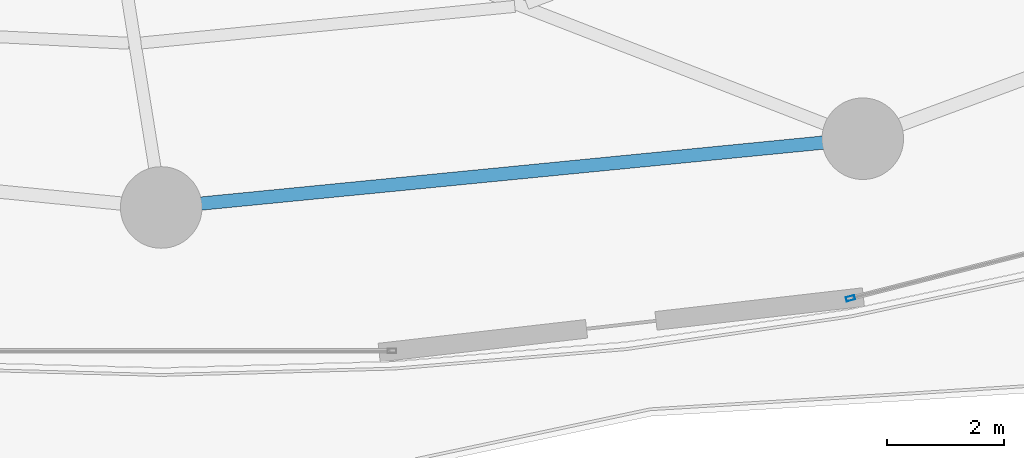
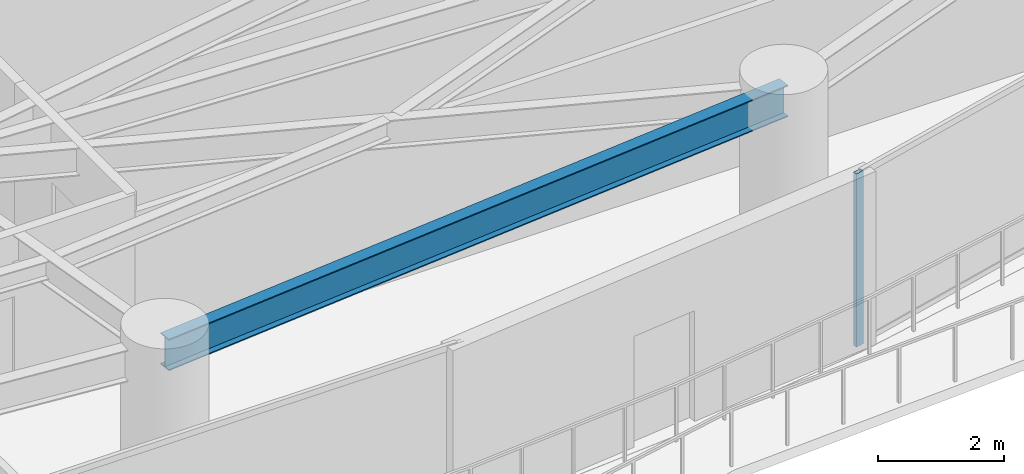
# One storey, part 11 of 31: 1 beam, 1 member, 1 element without a shape of its own.
"""IFC4 building model written with IfcOpenShell, lengths in metres."""

from ifc_helpers import new_model, si_unit, direction, frame, origin, origin_2d, place, context, subcontext, project, spatial, hollow_rectangle, i_section, extrude, material, layer, layer_set, material_profile, profile_set, type_object, element, aggregate, save


model = new_model("IFC4")

# Units and contexts
model_context = context("Model", 3, precision=1e-05, world=origin(), true_north=direction((0.0, 1.0)))
body_context = subcontext(model_context, "Body", "Model", "MODEL_VIEW")
ifc_project = project(units=[si_unit("LENGTHUNIT", "METRE"), si_unit("AREAUNIT", "SQUARE_METRE"), si_unit("VOLUMEUNIT", "CUBIC_METRE"), si_unit("PLANEANGLEUNIT", "RADIAN"), si_unit("MASSUNIT", "GRAM", prefix="KILO")], contexts=[model_context])

# Site, building, storey
site_placement = place(None, origin())
site = spatial("IfcSite", under=ifc_project, at=site_placement, CompositionType="ELEMENT")
building_placement = place(site_placement, origin())
building = spatial("IfcBuilding", under=site, at=building_placement, Name="Kazevale Care Tower and Concert Hall", CompositionType="ELEMENT")
storey_placement = place(building_placement, frame((0.0, 0.0, 56.39990234375)))
storey = spatial("IfcBuildingStorey", under=building, at=storey_placement, Name="L14", CompositionType="ELEMENT", Elevation=56.39990234375)

# Curtain wall, member
ifc_material_1 = material(Name="Aluminium 6063-T6 and Low-E Glass", Category="aluminium")
ifc_layer = layer(ifc_material_1, 0.179931640625)
ifc_layer_set = layer_set([ifc_layer], Name="Aluminium 6063-T6 and Low-E Glass")
curtain_wall_type = type_object("IfcCurtainWallType", Name="Sheltered Concave Balcony Curtain Wall CW-5", PredefinedType="NOTDEFINED", material=ifc_layer_set)
curtain_wall_placement = place(storey_placement, origin())
curtain_wall = element("IfcCurtainWall", 1, at=curtain_wall_placement, inside=storey, type_object=curtain_wall_type, Name="cw:L14:f04", PredefinedType="NOTDEFINED")
ifc_material_2 = material(Name="Aluminium 6063-T6", Category="aluminium")
ifc_material_profile_1 = material_profile(ifc_material_2, hollow_rectangle(XDim=0.074951171875, YDim=0.14990234375, WallThickness=0.00390625, at=origin_2d()), Name="ALU75x150x4")
ifc_profile_set_1 = profile_set([ifc_material_profile_1], Name="Aluminium 6063-T6")
member_type = type_object("IfcMemberType", Name="CW-5 Mullion ALU75x150x4", PredefinedType="MULLION", material=ifc_profile_set_1)
member_placement = place(storey_placement, frame((56.828369140625, 15.791259765625, 0.0), z_axis=(0.0, 0.0, 1.0), x_axis=(0.247221864936, -0.968958899798, 0.0)))
member = element("IfcMember", 2, at=member_placement, type_object=member_type, Name="CW-5 mullion 2", PredefinedType="MULLION", context=body_context, shape_type="SweptSolid", body=[
    extrude(hollow_rectangle(XDim=0.074951171875, YDim=0.14990234375, WallThickness=0.00390625, at=origin_2d()), origin(), (0.0, 0.0, 1.0), 3.360107421875),
])
aggregate(curtain_wall, [member])

# Beam
ifc_material_3 = material(Name="Steel ASTM A572 Gr 50", Category="steel")
ifc_material_profile_2 = material_profile(ifc_material_3, i_section(OverallWidth=0.22900390625, OverallDepth=0.612060546875, WebThickness=0.011962890625, FlangeThickness=0.01953125, at=origin_2d()), Name="W610x125")
ifc_profile_set_2 = profile_set([ifc_material_profile_2], Name="Steel ASTM A572 Gr 50")
beam_type = type_object("IfcBeamType", Name="Ring Spandrel Beam W610x125", PredefinedType="SPANDREL", material=ifc_profile_set_2)
beam_placement = place(storey_placement, frame((45.0, 17.35009765625, 3.05419921875), z_axis=(0.995232251602, 0.09753340644, 0.0), x_axis=(-0.09753340644, 0.995232251602, 0.0)))
element("IfcBeam", 3, at=beam_placement, inside=storey, type_object=beam_type, Name="beam:L14:ring:13", PredefinedType="SPANDREL", context=body_context, shape_type="SweptSolid", body=[
    extrude(i_section(OverallWidth=0.22900390625, OverallDepth=0.612060546875, WebThickness=0.011962890625, FlangeThickness=0.01953125, at=origin_2d()), origin(), (0.0, 0.0, 1.0), 12.09765625),
])

save(model, "model.ifc")
